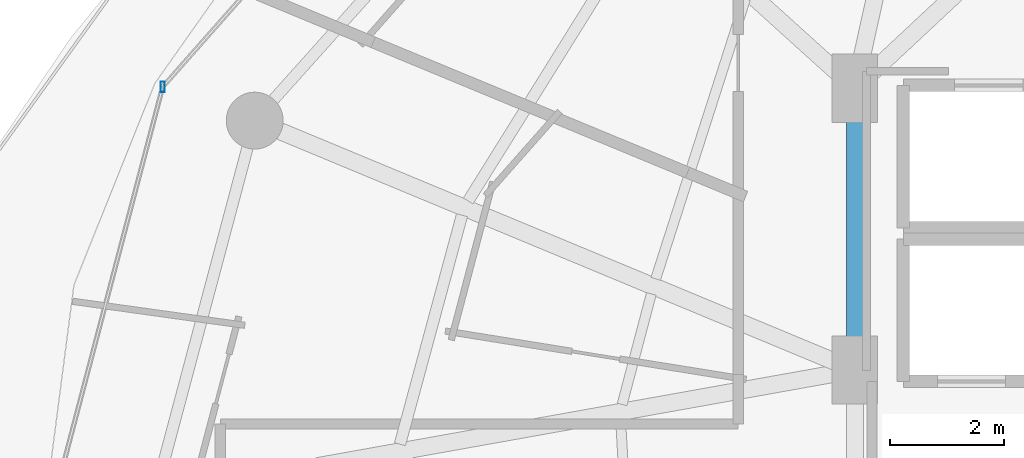
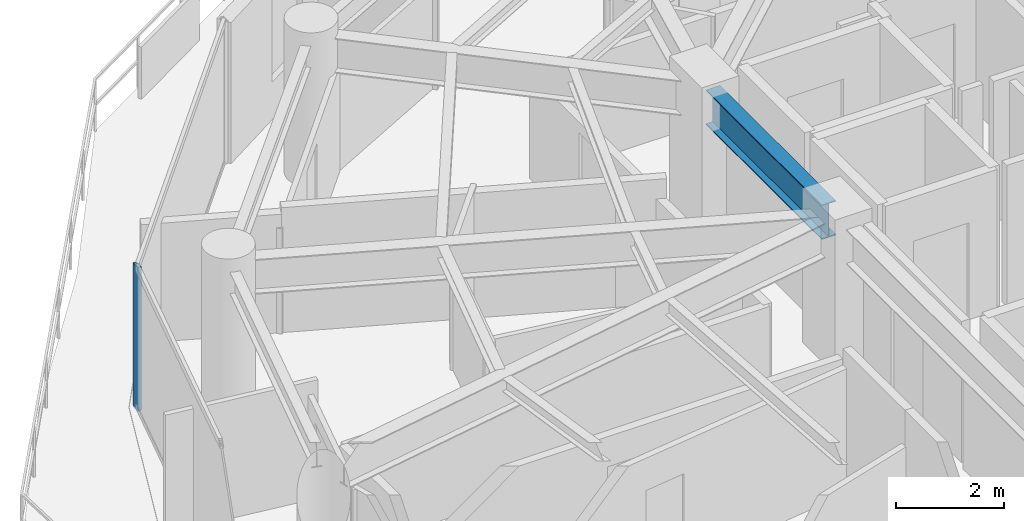
# One storey, part 9 of 29: 1 beam, 1 member, 1 element without a shape of its own.
"""IFC4 building model written with IfcOpenShell, lengths in metres."""

import ifcopenshell
import ifcopenshell.guid

model = None  # the IFC model being written
_history = None  # IfcOwnerHistory: only IFC2X3 demands one
_inside = {}  # id of a spatial element -> (the spatial element, [elements in it])
_under = {}  # id of a project, library or spatial element -> (it, [spatial elements below it])
_declared = {}  # id of a project -> (the project, [libraries it declares])
_typed = {}  # id of a type object -> (the type object, [elements of that type])
_made_of = {}  # id of a material, layer set ... -> (it, [elements and type objects made of it])


def new_model(schema):
    """Start an empty IFC model of exactly this schema.

    Asked for "IFC4X3", IfcOpenShell would pick the latest addendum, in which some entities
    have other attributes; the version numbers below select the first issue.
    IFC2X3 requires an IfcOwnerHistory on every rooted entity: one is made here for all.
    """
    global model, _history
    if schema == "IFC4X3":
        model = ifcopenshell.file(schema_version=(4, 3, 0, 0))
    else:
        model = ifcopenshell.file(schema=schema)
    _inside.clear()
    _under.clear()
    _declared.clear()
    _typed.clear()
    _made_of.clear()
    _history = None
    if model.schema == "IFC2X3":
        org = make("IfcOrganization", Name="unknown")
        user = make(
            "IfcPersonAndOrganization",
            ThePerson=make("IfcPerson", FamilyName="unknown"),
            TheOrganization=org,
        )
        app = make(
            "IfcApplication",
            ApplicationDeveloper=org,
            Version="unknown",
            ApplicationFullName="unknown",
            ApplicationIdentifier="unknown",
        )
        _history = make(
            "IfcOwnerHistory",
            OwningUser=user,
            OwningApplication=app,
            ChangeAction="ADDED",
            CreationDate=0,
        )
    return model


def make(cls, **values):
    """One entity of the class cls with the attributes given. An attribute that is None is left unset."""
    return model.create_entity(
        cls, **{name: value for name, value in values.items() if value is not None}
    )


def rooted(cls, **values):
    """An entity with a GlobalId (a new one), such as an element, a storey or a relation."""
    return make(cls, GlobalId=ifcopenshell.guid.new(), OwnerHistory=_history, **values)


def si_unit(unit_type, name, prefix=None):
    """IfcSIUnit, for example si_unit("LENGTHUNIT", "METRE", prefix="MILLI")."""
    return make("IfcSIUnit", UnitType=unit_type, Prefix=prefix, Name=name)


def assignment(units):
    """IfcUnitAssignment: the units of a project."""
    return None if units is None else make("IfcUnitAssignment", Units=units)


def point(xyz):
    """IfcCartesianPoint."""
    return None if xyz is None else make("IfcCartesianPoint", Coordinates=xyz)


def direction(xyz):
    """IfcDirection."""
    return None if xyz is None else make("IfcDirection", DirectionRatios=xyz)


def frame(location, z_axis=None, x_axis=None):
    """IfcAxis2Placement3D, a coordinate frame: its origin and axes. An axis left out is left unset."""
    return make(
        "IfcAxis2Placement3D",
        Location=point(location),
        Axis=direction(z_axis),
        RefDirection=direction(x_axis),
    )


def frame_2d(location, x_axis=None):
    """IfcAxis2Placement2D, a coordinate frame in the plane: its origin and x axis."""
    return make(
        "IfcAxis2Placement2D", Location=point(location), RefDirection=direction(x_axis)
    )


def origin():
    """The frame at (0, 0, 0) with its axes left unset."""
    return frame((0.0, 0.0, 0.0))


def origin_2d():
    """The frame at (0, 0) in the plane with its x axis left unset."""
    return frame_2d((0.0, 0.0))


def place(relative_to, where):
    """IfcLocalPlacement: puts the frame where relative to a parent placement (None: the world)."""
    return make(
        "IfcLocalPlacement", PlacementRelTo=relative_to, RelativePlacement=where
    )


def context(
    kind, dimensions, precision=None, world=None, true_north=None, identifier=None
):
    """IfcGeometricRepresentationContext, for example the 3D "Model" context."""
    return make(
        "IfcGeometricRepresentationContext",
        ContextIdentifier=identifier,
        ContextType=kind,
        CoordinateSpaceDimension=dimensions,
        Precision=precision,
        WorldCoordinateSystem=world,
        TrueNorth=true_north,
    )


def subcontext(parent, identifier, kind, view, scale=None):
    """IfcGeometricRepresentationSubContext, for example "Body" below "Model"."""
    return make(
        "IfcGeometricRepresentationSubContext",
        ContextIdentifier=identifier,
        ContextType=kind,
        ParentContext=parent,
        TargetScale=scale,
        TargetView=view,
    )


def project(units=None, contexts=None):
    """IfcProject with its units and contexts."""
    return rooted(
        "IfcProject",
        Name="project",
        RepresentationContexts=contexts,
        UnitsInContext=assignment(units),
    )


def spatial(cls, under=None, at=None, **own):
    """A site, building, storey or space (cls), placed at a placement, below another one or the project."""
    s = rooted(cls, ObjectPlacement=at, **own)
    if under is not None:
        _under.setdefault(under.id(), (under, []))[1].append(s)
    return s


def profile(cls, at=None, kind="AREA", **sizes):
    """A parametric profile (cls). Its sizes go by their IFC names, for example OverallWidth=200.0."""
    return make(cls, ProfileType=kind, Position=at, **sizes)


def hollow_rectangle(**sizes):
    """IfcRectangleHollowProfileDef."""
    return profile("IfcRectangleHollowProfileDef", **sizes)


def i_section(**sizes):
    """IfcIShapeProfileDef."""
    return profile("IfcIShapeProfileDef", **sizes)


def extrude(swept, where, along, depth):
    """IfcExtrudedAreaSolid: the profile swept, set in the frame where, extruded along a direction by depth."""
    return make(
        "IfcExtrudedAreaSolid",
        SweptArea=swept,
        Position=where,
        ExtrudedDirection=direction(along),
        Depth=depth,
    )


def shape(context_of_items, identifier, shape_type, items):
    """IfcShapeRepresentation: the items that make up one representation, for example the "Body"."""
    return make(
        "IfcShapeRepresentation",
        ContextOfItems=context_of_items,
        RepresentationIdentifier=identifier,
        RepresentationType=shape_type,
        Items=items,
    )


def material(Name=None, Category=None):
    """IfcMaterial."""
    return make("IfcMaterial", Name=Name, Category=Category)


def material_profile(
    of_material, cross_section, Name=None, Category=None, Priority=None
):
    """IfcMaterialProfile: a cross section and its material."""
    return make(
        "IfcMaterialProfile",
        Name=Name,
        Material=of_material,
        Profile=cross_section,
        Priority=Priority,
        Category=Category,
    )


def profile_set(profiles, Name=None, composite=None):
    """IfcMaterialProfileSet."""
    return make(
        "IfcMaterialProfileSet",
        Name=Name,
        MaterialProfiles=profiles,
        CompositeProfile=composite,
    )


def made_of(thing, what):
    """Note that an element or type object is made of a material, layer set ...; save() writes the relation."""
    if what is not None:
        _made_of.setdefault(what.id(), (what, []))[1].append(thing)
    return thing


def type_object(cls, material=None, **own):
    """A type object (cls), such as IfcWallType, which elements share."""
    return made_of(rooted(cls, **own), material)


def element(
    cls,
    number,
    at=None,
    inside=None,
    cuts=None,
    type_object=None,
    material=None,
    context=None,
    identifier="Body",
    shape_type=None,
    held_by="IfcProductDefinitionShape",
    body=None,
    shapes=None,
    **own,
):
    """One element of the class cls, such as IfcWall. Its Tag is "e" and its number.

    at: its placement. inside: the storey or other place that contains it. cuts: it is an
    opening in that element (IfcRelVoidsElement). A single representation is given by context,
    identifier, shape_type and body (its items); several are given by shapes. held_by: the class
    of the entity that holds the representations. save() writes the other relations.
    """
    e = rooted(cls, Tag="e%d" % number, ObjectPlacement=at, **own)
    if body is not None:
        shapes = [shape(context, identifier, shape_type, body)]
    if shapes is not None:
        e.Representation = make(held_by, Representations=shapes)
    if inside is not None:
        _inside.setdefault(inside.id(), (inside, []))[1].append(e)
    if cuts is not None:
        rooted(
            "IfcRelVoidsElement", RelatingBuildingElement=cuts, RelatedOpeningElement=e
        )
    if type_object is not None:
        _typed.setdefault(type_object.id(), (type_object, []))[1].append(e)
    return made_of(e, material)


def aggregate(whole, parts):
    """IfcRelAggregates: a whole, such as a stair, and the parts it consists of."""
    return rooted("IfcRelAggregates", RelatingObject=whole, RelatedObjects=parts)


def save(model, path):
    """Write the relations noted so far, then the file.

    IfcRelAggregates (storeys below a building ...), IfcRelContainedInSpatialStructure (elements
    in a storey), IfcRelDefinesByType, IfcRelAssociatesMaterial and IfcRelDeclares: one each for
    every whole, place, type object, material and project.
    """
    for whole, parts in _under.values():
        aggregate(whole, parts)
    for where, things in _inside.values():
        rooted(
            "IfcRelContainedInSpatialStructure",
            RelatedElements=things,
            RelatingStructure=where,
        )
    for kind, things in _typed.values():
        rooted("IfcRelDefinesByType", RelatedObjects=things, RelatingType=kind)
    for what, things in _made_of.values():
        rooted("IfcRelAssociatesMaterial", RelatedObjects=things, RelatingMaterial=what)
    for by, libraries in _declared.values():
        rooted("IfcRelDeclares", RelatingContext=by, RelatedDefinitions=libraries)
    model.write(path)


model = new_model("IFC4")

# Units and contexts
model_context = context("Model", 3, precision=1e-05, world=origin(), true_north=direction((0.0, 1.0)))
body_context = subcontext(model_context, "Body", "Model", "MODEL_VIEW")
ifc_project = project(units=[si_unit("LENGTHUNIT", "METRE"), si_unit("AREAUNIT", "SQUARE_METRE"), si_unit("VOLUMEUNIT", "CUBIC_METRE"), si_unit("PLANEANGLEUNIT", "RADIAN"), si_unit("MASSUNIT", "GRAM", prefix="KILO")], contexts=[model_context])

# Site, building, storey
site_placement = place(None, origin())
site = spatial("IfcSite", under=ifc_project, at=site_placement, CompositionType="ELEMENT")
building_placement = place(site_placement, origin())
building = spatial("IfcBuilding", under=site, at=building_placement, Name="Vorneva Point Tower", CompositionType="ELEMENT")
storey_placement = place(building_placement, frame((0.0, 0.0, 171.10009765625)))
storey = spatial("IfcBuildingStorey", under=building, at=storey_placement, Name="L46", CompositionType="ELEMENT", Elevation=171.10009765625)

# Beam
ifc_material_1 = material(Name="Steel S355", Category="steel")
ifc_material_profile_1 = material_profile(ifc_material_1, i_section(OverallWidth=0.300048828125, OverallDepth=0.7880859375, WebThickness=0.014404296875, FlangeThickness=0.02197265625, at=origin_2d()), Name="80Sh1")
ifc_profile_set_1 = profile_set([ifc_material_profile_1], Name="Steel S355")
beam_type = type_object("IfcBeamType", Name="BM-GRD-80Sh1", PredefinedType="USERDEFINED", material=ifc_profile_set_1)
beam_placement = place(storey_placement, frame((27.25, 28.52001953125, 2.805908203125), z_axis=(0.0, 1.0, 0.0), x_axis=(-1.0, 0.0, 0.0)))
element("IfcBeam", 1, at=beam_placement, inside=storey, type_object=beam_type, Name="L46 Core Tie Girder CT2", ObjectType="GIRDER", PredefinedType="USERDEFINED", context=body_context, shape_type="SweptSolid", body=[
    extrude(i_section(OverallWidth=0.300048828125, OverallDepth=0.7880859375, WebThickness=0.014404296875, FlangeThickness=0.02197265625, at=origin_2d()), origin(), (0.0, 0.0, 1.0), 4.31005859375),
])

# Curtain wall, member
ifc_material_2 = material(Name="Pale anodised aluminium", Category="aluminium")
curtain_wall_type = type_object("IfcCurtainWallType", Name="CW-RES-SYS", PredefinedType="NOTDEFINED", material=ifc_material_2)
curtain_wall_placement = place(storey_placement, origin())
curtain_wall = element("IfcCurtainWall", 2, at=curtain_wall_placement, inside=storey, type_object=curtain_wall_type, Name="L46 Unitised Curtain Wall CW-L46-R03", PredefinedType="NOTDEFINED")
ifc_material_profile_2 = material_profile(ifc_material_2, hollow_rectangle(XDim=0.074951171875, YDim=0.179931640625, WallThickness=0.00390625, at=origin_2d()), Name="AL-MUL 180x75x4")
ifc_profile_set_2 = profile_set([ifc_material_profile_2], Name="Pale anodised aluminium")
member_type = type_object("IfcMemberType", Name="CW-MUL-180", PredefinedType="MULLION", material=ifc_profile_set_2)
member_placement = place(storey_placement, frame((15.087890625, 33.17529296875, -0.0400390625), z_axis=(0.0, 0.0, 1.0), x_axis=(1.0, 0.0, 0.0)))
member = element("IfcMember", 3, at=member_placement, type_object=member_type, Name="CW-L46-R03 Mullion 02", PredefinedType="MULLION", context=body_context, shape_type="SweptSolid", body=[
    extrude(hollow_rectangle(XDim=0.074951171875, YDim=0.179931640625, WallThickness=0.00390625, at=origin_2d()), origin(), (0.0, 0.0, 1.0), 3.27001953125),
])
aggregate(curtain_wall, [member])

save(model, "model.ifc")
